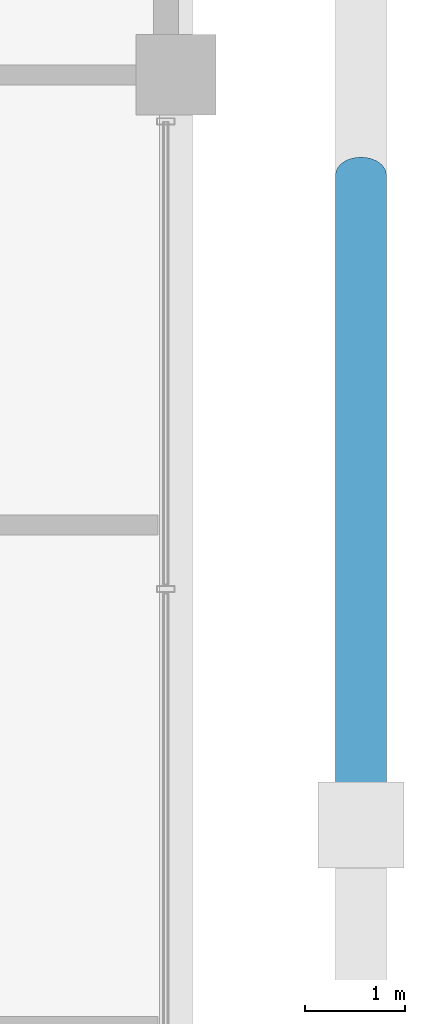
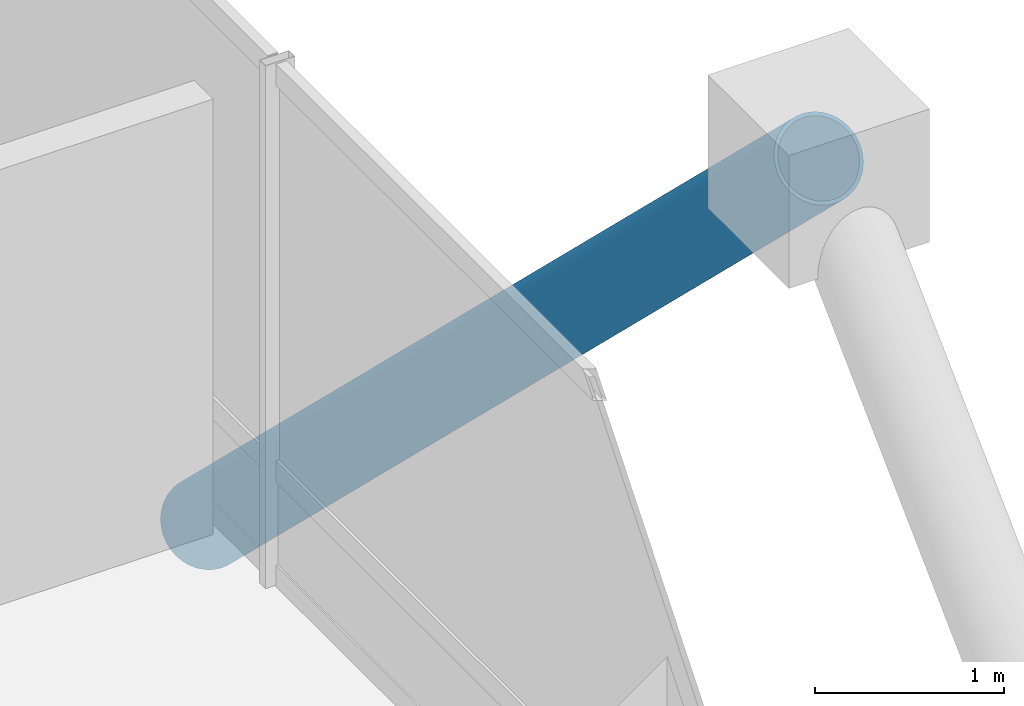
# One storey, part 10 of 22: 1 member.
"""IFC4 building model written with IfcOpenShell, lengths in metres."""

from ifc_helpers import new_model, si_unit, direction, frame, origin, origin_2d, place, context, subcontext, project, spatial, hollow_circle, extrude, material, material_profile, profile_set, type_object, element, save


model = new_model("IFC4")

# Units and contexts
model_context = context("Model", 3, precision=1e-05, world=origin(), true_north=direction((0.0, 1.0)))
body_context = subcontext(model_context, "Body", "Model", "MODEL_VIEW")
ifc_project = project(units=[si_unit("LENGTHUNIT", "METRE"), si_unit("AREAUNIT", "SQUARE_METRE"), si_unit("VOLUMEUNIT", "CUBIC_METRE"), si_unit("PLANEANGLEUNIT", "RADIAN"), si_unit("MASSUNIT", "GRAM", prefix="KILO")], contexts=[model_context])

# Site, building, storey
site_placement = place(None, origin())
site = spatial("IfcSite", under=ifc_project, at=site_placement, CompositionType="ELEMENT")
building_placement = place(site_placement, origin())
building = spatial("IfcBuilding", under=site, at=building_placement, Name="Barlavira Tower and Art Museum", CompositionType="ELEMENT")
storey_placement = place(building_placement, frame((0.0, 0.0, 129.60009765625)))
storey = spatial("IfcBuildingStorey", under=building, at=storey_placement, Name="L32", CompositionType="ELEMENT", Elevation=129.60009765625)

# Member
ifc_material = material(Name="Steel S355", Category="steel")
ifc_material_profile = material_profile(ifc_material, hollow_circle(Radius=0.25390625, WallThickness=0.022216796875, at=origin_2d()), Name="CHS 508.0x22.2")
ifc_profile_set = profile_set([ifc_material_profile], Name="Steel S355")
member_type = type_object("IfcMemberType", Name="Pale-Metal Exoskeleton Diagrid Tube CHS 508x22 Steel S355", PredefinedType="BRACE", material=ifc_profile_set)
member_placement = place(storey_placement, frame((22.10009765625, 6.5, -2.820068359375), z_axis=(0.0, -0.718064979499, 0.695976066555), x_axis=(1.0, 0.0, 0.0)))
element("IfcMember", 1, at=member_placement, inside=storey, type_object=member_type, Name="L32 Exoskeleton Diagrid Tube E", PredefinedType="BRACE", context=body_context, shape_type="SweptSolid", body=[
    extrude(hollow_circle(Radius=0.25390625, WallThickness=0.022216796875, at=origin_2d()), origin(), (0.0, 0.0, 1.0), 9.052001953125),
])

save(model, "model.ifc")
